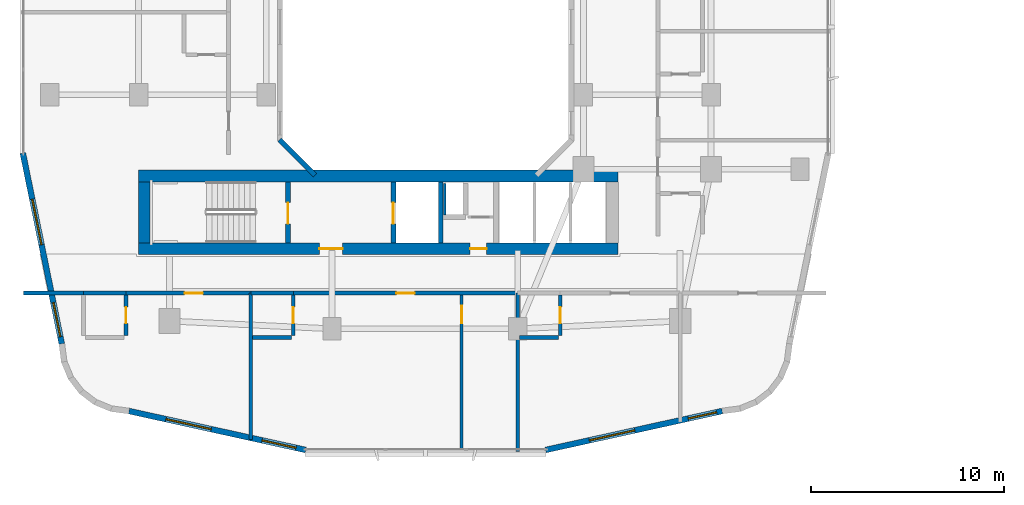
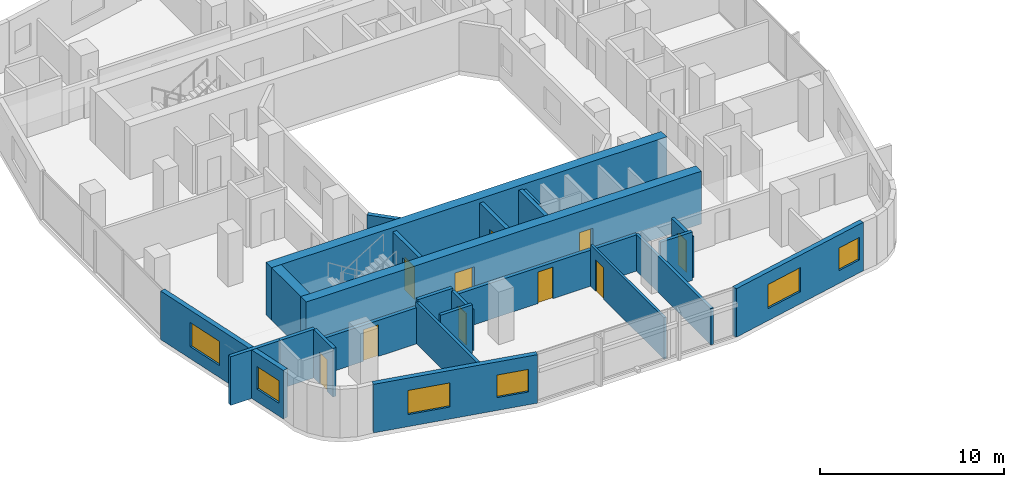
# One storey, part 13 of 27: 24 walls, 10 doors, 6 windows, 16 openings.
"""IFC4 building model written with IfcOpenShell, lengths in metres."""

from ifc_helpers import new_model, si_unit, derived_unit, direction, frame, frame_2d, origin, place, context, subcontext, project, spatial, rectangle, extrude, material, layer, layer_set, type_object, element, fill, save


model = new_model("IFC4")

# Units and contexts
model_context = context("Model", 3, precision=1e-05, world=origin(), true_north=direction((0.0, 1.0)))
body_context = subcontext(model_context, "Body", "Model", "MODEL_VIEW")
ifc_project = project(units=[si_unit("LENGTHUNIT", "METRE"), si_unit("AREAUNIT", "SQUARE_METRE"), si_unit("VOLUMEUNIT", "CUBIC_METRE"), si_unit("PLANEANGLEUNIT", "RADIAN"), si_unit("MASSUNIT", "GRAM", prefix="KILO"), derived_unit("THERMALTRANSMITTANCEUNIT", [(si_unit("POWERUNIT", "WATT"), 1), (si_unit("LENGTHUNIT", "METRE"), -2), (si_unit("THERMODYNAMICTEMPERATUREUNIT", "KELVIN"), -1)])], contexts=[model_context])

# Site, building, storey
site_placement = place(None, origin())
site = spatial("IfcSite", under=ifc_project, at=site_placement, CompositionType="ELEMENT")
building_placement = place(site_placement, origin())
building = spatial("IfcBuilding", under=site, at=building_placement, Name="Kivonza Crest Hotel", CompositionType="ELEMENT")
storey_placement = place(building_placement, frame((0.0, 0.0, 41.5)))
storey = spatial("IfcBuildingStorey", under=building, at=storey_placement, Name="L10", CompositionType="ELEMENT", Elevation=41.5)

# Walls
ifc_material_1 = material(Name="High-density acoustic masonry inter-tenancy wall", Category="masonry")
ifc_layer_1 = layer(ifc_material_1, 0.179931640625)
ifc_layer_set_1 = layer_set([ifc_layer_1], Name="High-density acoustic masonry inter-tenancy wall")
wall_type_1 = type_object("IfcWallType", Name="WL-ACOU-180", PredefinedType="SOLIDWALL", material=ifc_layer_set_1)
wall_1_placement = place(storey_placement, frame((12.0, 3.66796875, 0.0), z_axis=(0.0, 0.0, 1.0), x_axis=(0.0, 1.0, 0.0)))
element("IfcWall", 1, at=wall_1_placement, inside=storey, type_object=wall_type_1, Name="L10 interior partition WA-L10-T1S-DIV1", PredefinedType="SOLIDWALL", context=body_context, shape_type="SweptSolid", body=[
    extrude(rectangle(XDim=7.58203125, YDim=0.179931640625, at=frame_2d((3.791015625, 0.0))), origin(), (0.0, 0.0, 1.0), 2.7451171875),
])
wall_2_placement = place(storey_placement, frame((25.800048828125, 3.06005859375, 0.0), z_axis=(0.0, 0.0, 1.0), x_axis=(0.0, 1.0, 0.0)))
element("IfcWall", 2, at=wall_2_placement, inside=storey, type_object=wall_type_1, Name="L10 interior partition WA-L10-T1S-DIV2", PredefinedType="SOLIDWALL", context=body_context, shape_type="SweptSolid", body=[
    extrude(rectangle(XDim=8.18994140625, YDim=0.179931640625, at=frame_2d((4.094970703125, 0.0))), origin(), (0.0, 0.0, 1.0), 2.39501953125),
])
ifc_material_2 = material(Name="Autoclaved aerated concrete blockwork", Category="masonry")
ifc_layer_2 = layer(ifc_material_2, 0.219970703125)
ifc_layer_set_2 = layer_set([ifc_layer_2], Name="Autoclaved aerated concrete blockwork")
wall_type_2 = type_object("IfcWallType", Name="WL-ACOU-220", PredefinedType="SOLIDWALL", material=ifc_layer_set_2)
wall_3_placement = place(storey_placement, frame((0.239990234375, 11.25, 0.0), z_axis=(0.0, 0.0, 1.0), x_axis=(1.0, 0.0, 0.0)))
element("IfcWall", 3, at=wall_3_placement, inside=storey, type_object=wall_type_2, Name="L10 interior partition WA-L10-S04-XCORR", PredefinedType="SOLIDWALL", context=body_context, shape_type="SweptSolid", body=[
    extrude(rectangle(XDim=3.110107421875, YDim=0.219970703125, at=frame_2d((1.55517578125, 0.0))), origin(), (0.0, 0.0, 1.0), 3.219970703125),
])
wall_4_placement = place(storey_placement, frame((3.35009765625, 11.25, 0.0), z_axis=(0.0, 0.0, 1.0), x_axis=(1.0, 0.0, 0.0)))
element("IfcWall", 4, at=wall_4_placement, inside=storey, type_object=wall_type_2, Name="L10 interior partition WA-L10-S04-BCORR", PredefinedType="SOLIDWALL", context=body_context, shape_type="SweptSolid", body=[
    extrude(rectangle(XDim=2.199951171875, YDim=0.219970703125, at=frame_2d((1.10009765625, 0.0))), origin(), (0.0, 0.0, 1.0), 3.219970703125),
])

# Wall, opening, door
wall_5_placement = place(storey_placement, frame((5.550048828125, 11.25, 0.0), z_axis=(0.0, 0.0, 1.0), x_axis=(1.0, 0.0, 0.0)))
wall_5 = element("IfcWall", 5, at=wall_5_placement, inside=storey, type_object=wall_type_2, Name="L10 interior partition WA-L10-S04-MCORR", PredefinedType="SOLIDWALL", context=body_context, shape_type="SweptSolid", body=[
    extrude(rectangle(XDim=6.449951171875, YDim=0.219970703125, at=frame_2d((3.22509765625, 0.0))), origin(), (0.0, 0.0, 1.0), 2.39501953125),
])
opening_1_placement = place(wall_5_placement, frame((3.030029296875, 0.0, 0.0)))
opening_1 = element("IfcOpeningElement", 6, at=opening_1_placement, cuts=wall_5, Name="Opening DU-60", PredefinedType="OPENING", context=body_context, shape_type="SweptSolid", body=[
    extrude(rectangle(XDim=0.949951171875, YDim=2.10009765625, at=frame_2d((0.47509765625, 1.050048828125))), frame((0.0, 0.1201171875, 0.0), z_axis=(0.0, -1.0, 0.0), x_axis=(1.0, 0.0, 0.0)), (0.0, 0.0, 1.0), 0.239990234375),
])
ifc_material_3 = material(Name="Hardwood timber oak", Category="wood")
door_type_1 = type_object("IfcDoorType", Name="DR-UNIT-950", OperationType="NOTDEFINED", PredefinedType="DOOR", material=ifc_material_3)
door_1_placement = place(opening_1_placement, frame((0.949951171875, 0.0, 0.0), z_axis=(0.0, 0.0, 1.0), x_axis=(-1.0, 0.0, 0.0)))
door_1 = element("IfcDoor", 7, at=door_1_placement, inside=storey, type_object=door_type_1, Name="L10 S04 guest unit entrance fire door", OperationType="SINGLE_SWING_RIGHT", OverallHeight=2.10009765625, OverallWidth=0.949951171875, PredefinedType="DOOR", context=body_context, shape_type="SweptSolid", body=[
    extrude(rectangle(XDim=0.949951171875, YDim=2.10009765625, at=frame_2d((0.47509765625, 1.050048828125))), frame((0.0, 0.02490234375, 0.0), z_axis=(0.0, -1.0, 0.0), x_axis=(1.0, 0.0, 0.0)), (0.0, 0.0, 1.0), 0.050048828125),
])
fill(opening_1, door_1)

# Wall
wall_6_placement = place(storey_placement, frame((12.0, 11.25, 0.0), z_axis=(0.0, 0.0, 1.0), x_axis=(1.0, 0.0, 0.0)))
element("IfcWall", 8, at=wall_6_placement, inside=storey, type_object=wall_type_2, Name="L10 interior partition WA-L10-S05-BCORR", PredefinedType="SOLIDWALL", context=body_context, shape_type="SweptSolid", body=[
    extrude(rectangle(XDim=2.199951171875, YDim=0.219970703125, at=frame_2d((1.10009765625, 0.0))), origin(), (0.0, 0.0, 1.0), 2.89501953125),
])

# Wall, opening, door
wall_7_placement = place(storey_placement, frame((14.199951171875, 11.25, 0.0), z_axis=(0.0, 0.0, 1.0), x_axis=(1.0, 0.0, 0.0)))
wall_7 = element("IfcWall", 9, at=wall_7_placement, inside=storey, type_object=wall_type_2, Name="L10 interior partition WA-L10-S05-MCORR", PredefinedType="SOLIDWALL", context=body_context, shape_type="SweptSolid", body=[
    extrude(rectangle(XDim=11.60009765625, YDim=0.219970703125, at=frame_2d((5.800048828125, 0.0))), origin(), (0.0, 0.0, 1.0), 2.39501953125),
])
opening_2_placement = place(wall_7_placement, frame((5.324951171875, 0.0, 0.0)))
opening_2 = element("IfcOpeningElement", 10, at=opening_2_placement, cuts=wall_7, Name="Opening DU-60", PredefinedType="OPENING", context=body_context, shape_type="SweptSolid", body=[
    extrude(rectangle(XDim=0.949951171875, YDim=2.10009765625, at=frame_2d((0.47509765625, 1.050048828125))), frame((0.0, 0.1201171875, 0.0), z_axis=(0.0, -1.0, 0.0), x_axis=(1.0, 0.0, 0.0)), (0.0, 0.0, 1.0), 0.239990234375),
])
door_2_placement = place(opening_2_placement, frame((0.949951171875, 0.0, 0.0), z_axis=(0.0, 0.0, 1.0), x_axis=(-1.0, 0.0, 0.0)))
door_2 = element("IfcDoor", 11, at=door_2_placement, inside=storey, type_object=door_type_1, Name="L10 S05 guest unit entrance fire door", OperationType="SINGLE_SWING_LEFT", OverallHeight=2.10009765625, OverallWidth=0.949951171875, PredefinedType="DOOR", context=body_context, shape_type="SweptSolid", body=[
    extrude(rectangle(XDim=0.949951171875, YDim=2.10009765625, at=frame_2d((0.47509765625, 1.050048828125))), frame((0.0, 0.02490234375, 0.0), z_axis=(0.0, -1.0, 0.0), x_axis=(1.0, 0.0, 0.0)), (0.0, 0.0, 1.0), 0.050048828125),
])
fill(opening_2, door_2)

# Wall, openings, doors
ifc_material_4 = material(Name="Concrete C60/75", Category="concrete")
ifc_layer_3 = layer(ifc_material_4, 0.60009765625)
ifc_layer_set_3 = layer_set([ifc_layer_3], Name="Concrete C60/75")
wall_type_3 = type_object("IfcWallType", Name="WL-CORE-600", PredefinedType="SHEAR", material=ifc_layer_set_3)
wall_8_placement = place(storey_placement, frame((6.199951171875, 13.5400390625, 0.0), z_axis=(0.0, 0.0, 1.0), x_axis=(1.0, 0.0, 0.0)))
wall_8 = element("IfcWall", 12, at=wall_8_placement, inside=storey, type_object=wall_type_3, Name="Core wall T1-S South L10", PredefinedType="SHEAR", context=body_context, shape_type="SweptSolid", body=[
    extrude(rectangle(XDim=24.800048828125, YDim=0.60009765625, at=frame_2d((12.39990234375, 0.0))), origin(), (0.0, 0.0, 1.0), 3.5),
])
opening_3_placement = place(wall_8_placement, frame((9.35009765625, 0.0, 0.0)))
opening_3 = element("IfcOpeningElement", 13, at=opening_3_placement, cuts=wall_8, Name="Opening DF-60", PredefinedType="OPENING", context=body_context, shape_type="SweptSolid", body=[
    extrude(rectangle(XDim=1.199951171875, YDim=2.14990234375, at=frame_2d((0.60009765625, 1.074951171875))), frame((0.0, 0.31005859375, 0.0), z_axis=(0.0, -1.0, 0.0), x_axis=(1.0, 0.0, 0.0)), (0.0, 0.0, 1.0), 0.6201171875),
])
opening_4_placement = place(wall_8_placement, frame((17.139892578125, 0.0, 0.0)))
opening_4 = element("IfcOpeningElement", 14, at=opening_4_placement, cuts=wall_8, Name="Opening DF-60R", PredefinedType="OPENING", context=body_context, shape_type="SweptSolid", body=[
    extrude(rectangle(XDim=0.85009765625, YDim=2.10009765625, at=frame_2d((0.425048828125, 1.050048828125))), frame((0.0, 0.31005859375, 0.0), z_axis=(0.0, -1.0, 0.0), x_axis=(1.0, 0.0, 0.0)), (0.0, 0.0, 1.0), 0.6201171875),
])
door_type_2 = type_object("IfcDoorType", Name="DR-FD60-1200", OperationType="NOTDEFINED", PredefinedType="DOOR", material=ifc_material_3)
door_3_placement = place(opening_3_placement, frame((1.199951171875, 0.0, 0.0), z_axis=(0.0, 0.0, 1.0), x_axis=(-1.0, 0.0, 0.0)))
door_3 = element("IfcDoor", 15, at=door_3_placement, inside=storey, type_object=door_type_2, Name="L10 T1-S firefighting lobby fire door", OperationType="SINGLE_SWING_LEFT", OverallHeight=2.14990234375, OverallWidth=1.199951171875, PredefinedType="DOOR", context=body_context, shape_type="SweptSolid", body=[
    extrude(rectangle(XDim=1.199951171875, YDim=2.14990234375, at=frame_2d((0.60009765625, 1.074951171875))), frame((0.0, 0.02490234375, 0.0), z_axis=(0.0, -1.0, 0.0), x_axis=(1.0, 0.0, 0.0)), (0.0, 0.0, 1.0), 0.050048828125),
])
fill(opening_3, door_3)
door_type_3 = type_object("IfcDoorType", Name="DR-FD60-850", OperationType="NOTDEFINED", PredefinedType="DOOR", material=ifc_material_3)
door_4_placement = place(opening_4_placement, frame((0.85009765625, 0.0, 0.0), z_axis=(0.0, 0.0, 1.0), x_axis=(-1.0, 0.0, 0.0)))
door_4 = element("IfcDoor", 16, at=door_4_placement, inside=storey, type_object=door_type_3, Name="L10 T1-S core room door", OperationType="SINGLE_SWING_RIGHT", OverallHeight=2.10009765625, OverallWidth=0.85009765625, PredefinedType="DOOR", context=body_context, shape_type="SweptSolid", body=[
    extrude(rectangle(XDim=0.85009765625, YDim=2.10009765625, at=frame_2d((0.425048828125, 1.050048828125))), frame((0.0, 0.02490234375, 0.0), z_axis=(0.0, -1.0, 0.0), x_axis=(1.0, 0.0, 0.0)), (0.0, 0.0, 1.0), 0.050048828125),
])
fill(opening_4, door_4)

# Walls
wall_9_placement = place(storey_placement, frame((6.199951171875, 17.300048828125, 0.0), z_axis=(0.0, 0.0, 1.0), x_axis=(1.0, 0.0, 0.0)))
element("IfcWall", 17, at=wall_9_placement, inside=storey, type_object=wall_type_3, Name="Core wall T1-S North L10", PredefinedType="SHEAR", context=body_context, shape_type="SweptSolid", body=[
    extrude(rectangle(XDim=24.800048828125, YDim=0.60009765625, at=frame_2d((12.39990234375, 0.0))), origin(), (0.0, 0.0, 1.0), 3.5),
])
wall_10_placement = place(storey_placement, frame((6.5, 13.840087890625, 0.0), z_axis=(0.0, 0.0, 1.0), x_axis=(0.0, 1.0, 0.0)))
element("IfcWall", 18, at=wall_10_placement, inside=storey, type_object=wall_type_3, Name="Core wall T1-S West L10", PredefinedType="SHEAR", context=body_context, shape_type="SweptSolid", body=[
    extrude(rectangle(XDim=3.159912109375, YDim=0.60009765625, at=frame_2d((1.580078125, 0.0))), origin(), (0.0, 0.0, 1.0), 3.5),
])
ifc_material_5 = material(Name="Precast concrete C40/50", Category="concrete")
ifc_layer_4 = layer(ifc_material_5, 0.260009765625)
ifc_layer_set_4 = layer_set([ifc_layer_4], Name="Precast concrete C40/50")
wall_type_4 = type_object("IfcWallType", Name="WL-EXT-260", PredefinedType="STANDARD", material=ifc_layer_set_4)
wall_11_placement = place(storey_placement, frame((13.48388671875, 19.172119140625, 0.0), z_axis=(0.0, 0.0, 1.0), x_axis=(0.707106781187, -0.707106781187, 0.0)))
element("IfcWall", 19, at=wall_11_placement, inside=storey, type_object=wall_type_4, Name="L10 T1 light-well exterior wall 8", PredefinedType="STANDARD", context=body_context, shape_type="SweptSolid", body=[
    extrude(rectangle(XDim=2.593994140625, YDim=0.260009765625, at=frame_2d((1.296875, 0.0))), origin(), (0.0, 0.0, 1.0), 3.219970703125),
])

# Wall, openings, windows
ifc_layer_5 = layer(ifc_material_5, 0.300048828125)
ifc_layer_set_5 = layer_set([ifc_layer_5], Name="Precast concrete C40/50")
wall_type_5 = type_object("IfcWallType", Name="WL-EXT-300", PredefinedType="STANDARD", material=ifc_layer_set_5)
wall_12_placement = place(storey_placement, frame((5.7041015625, 5.14794921875, 0.0), z_axis=(0.0, 0.0, 1.0), x_axis=(0.9765437942, -0.215318875183, 0.0)))
wall_12 = element("IfcWall", 20, at=wall_12_placement, inside=storey, type_object=wall_type_5, Name="L10 T1 exterior insulated wall 7", PredefinedType="STANDARD", context=body_context, shape_type="SweptSolid", body=[
    extrude(rectangle(XDim=9.353271484375, YDim=0.300048828125, at=frame_2d((4.6767578125, 0.0))), origin(), (0.0, 0.0, 1.0), 3.219970703125),
])
opening_5_placement = place(wall_12_placement, frame((1.9580078125, 0.0, 0.800048828125)))
opening_5 = element("IfcOpeningElement", 21, at=opening_5_placement, cuts=wall_12, Name="Opening WN-05", PredefinedType="OPENING", context=body_context, shape_type="SweptSolid", body=[
    extrude(rectangle(XDim=2.39990234375, YDim=1.60009765625, at=frame_2d((1.199951171875, 0.800048828125))), frame((0.0, 0.16015625, 0.0), z_axis=(0.0, -1.0, 0.0), x_axis=(1.0, 0.0, 0.0)), (0.0, 0.0, 1.0), 0.320068359375),
])
opening_6_placement = place(wall_12_placement, frame((7.0400390625, 0.0, 0.85009765625)))
opening_6 = element("IfcOpeningElement", 22, at=opening_6_placement, cuts=wall_12, Name="Opening WN-03", PredefinedType="OPENING", context=body_context, shape_type="SweptSolid", body=[
    extrude(rectangle(XDim=1.800048828125, YDim=1.5, at=frame_2d((0.89990234375, 0.75))), frame((0.0, 0.16015625, 0.0), z_axis=(0.0, -1.0, 0.0), x_axis=(1.0, 0.0, 0.0)), (0.0, 0.0, 1.0), 0.320068359375),
])
ifc_material_6 = material(Name="Thermally broken bronze aluminium and low-E double glazing", Category="aluminium")
window_type_1 = type_object("IfcWindowType", Name="WN-180x150", PartitioningType="DOUBLE_PANEL_VERTICAL", PredefinedType="WINDOW", material=ifc_material_6)
window_1_placement = place(opening_6_placement, origin())
window_1 = element("IfcWindow", 23, at=window_1_placement, inside=storey, type_object=window_type_1, Name="L10 T1 facade window 7 bay 2", OverallHeight=1.5, OverallWidth=1.800048828125, PartitioningType="SINGLE_PANEL", PredefinedType="WINDOW", context=body_context, shape_type="SweptSolid", body=[
    extrude(rectangle(XDim=1.800048828125, YDim=1.5, at=frame_2d((0.89990234375, 0.75))), frame((0.0, 0.030029296875, 0.0), z_axis=(0.0, -1.0, 0.0), x_axis=(1.0, 0.0, 0.0)), (0.0, 0.0, 1.0), 0.06005859375),
])
fill(opening_6, window_1)
window_type_2 = type_object("IfcWindowType", Name="WN-240x160", PartitioningType="TRIPLE_PANEL_VERTICAL", PredefinedType="WINDOW", material=ifc_material_6)
window_2_placement = place(opening_5_placement, origin())
window_2 = element("IfcWindow", 24, at=window_2_placement, inside=storey, type_object=window_type_2, Name="L10 T1 facade window 7 bay 1", OverallHeight=1.60009765625, OverallWidth=2.39990234375, PartitioningType="SINGLE_PANEL", PredefinedType="WINDOW", context=body_context, shape_type="SweptSolid", body=[
    extrude(rectangle(XDim=2.39990234375, YDim=1.60009765625, at=frame_2d((1.199951171875, 0.800048828125))), frame((0.0, 0.030029296875, 0.0), z_axis=(0.0, -1.0, 0.0), x_axis=(1.0, 0.0, 0.0)), (0.0, 0.0, 1.0), 0.06005859375),
])
fill(opening_5, window_2)

wall_13_placement = place(storey_placement, frame((27.241943359375, 3.134033203125, 0.0), z_axis=(0.0, 0.0, 1.0), x_axis=(0.97654500432, 0.215313386808, 0.0)))
wall_13 = element("IfcWall", 25, at=wall_13_placement, inside=storey, type_object=wall_type_5, Name="L10 T1 exterior insulated wall 9", PredefinedType="STANDARD", context=body_context, shape_type="SweptSolid", body=[
    extrude(rectangle(XDim=9.353515625, YDim=0.300048828125, at=frame_2d((4.6767578125, 0.0))), origin(), (0.0, 0.0, 1.0), 3.219970703125),
])
opening_7_placement = place(wall_13_placement, frame((2.322998046875, 0.0, 0.800048828125)))
opening_7 = element("IfcOpeningElement", 26, at=opening_7_placement, cuts=wall_13, Name="Opening WN-05", PredefinedType="OPENING", context=body_context, shape_type="SweptSolid", body=[
    extrude(rectangle(XDim=2.39990234375, YDim=1.60009765625, at=frame_2d((1.199951171875, 0.800048828125))), frame((0.0, 0.16015625, 0.0), z_axis=(0.0, -1.0, 0.0), x_axis=(1.0, 0.0, 0.0)), (0.0, 0.0, 1.0), 0.320068359375),
])
opening_8_placement = place(wall_13_placement, frame((7.554931640625, 0.0, 0.85009765625)))
opening_8 = element("IfcOpeningElement", 27, at=opening_8_placement, cuts=wall_13, Name="Opening WN-02", PredefinedType="OPENING", context=body_context, shape_type="SweptSolid", body=[
    extrude(rectangle(XDim=1.5, YDim=1.5, at=frame_2d((0.75, 0.75))), frame((0.0, 0.16015625, 0.0), z_axis=(0.0, -1.0, 0.0), x_axis=(1.0, 0.0, 0.0)), (0.0, 0.0, 1.0), 0.320068359375),
])
window_type_3 = type_object("IfcWindowType", Name="WN-150x150", PartitioningType="DOUBLE_PANEL_VERTICAL", PredefinedType="WINDOW", material=ifc_material_6)
window_3_placement = place(opening_8_placement, origin())
window_3 = element("IfcWindow", 28, at=window_3_placement, inside=storey, type_object=window_type_3, Name="L10 T1 facade window 9 bay 2", OverallHeight=1.5, OverallWidth=1.5, PartitioningType="SINGLE_PANEL", PredefinedType="WINDOW", context=body_context, shape_type="SweptSolid", body=[
    extrude(rectangle(XDim=1.5, YDim=1.5, at=frame_2d((0.75, 0.75))), frame((0.0, 0.030029296875, 0.0), z_axis=(0.0, -1.0, 0.0), x_axis=(1.0, 0.0, 0.0)), (0.0, 0.0, 1.0), 0.06005859375),
])
fill(opening_8, window_3)
window_4_placement = place(opening_7_placement, origin())
window_4 = element("IfcWindow", 29, at=window_4_placement, inside=storey, type_object=window_type_2, Name="L10 T1 facade window 9 bay 1", OverallHeight=1.60009765625, OverallWidth=2.39990234375, PartitioningType="SINGLE_PANEL", PredefinedType="WINDOW", context=body_context, shape_type="SweptSolid", body=[
    extrude(rectangle(XDim=2.39990234375, YDim=1.60009765625, at=frame_2d((1.199951171875, 0.800048828125))), frame((0.0, 0.030029296875, 0.0), z_axis=(0.0, -1.0, 0.0), x_axis=(1.0, 0.0, 0.0)), (0.0, 0.0, 1.0), 0.06005859375),
])
fill(opening_7, window_4)

wall_14_placement = place(storey_placement, frame((0.216064453125, 18.48388671875, 0.0), z_axis=(0.0, 0.0, 1.0), x_axis=(0.199990901713, -0.979797754249, 0.0)))
wall_14 = element("IfcWall", 30, at=wall_14_placement, inside=storey, type_object=wall_type_5, Name="L10 T1 exterior insulated wall 36", PredefinedType="STANDARD", context=body_context, shape_type="SweptSolid", body=[
    extrude(rectangle(XDim=10.065185546875, YDim=0.300048828125, at=frame_2d((5.03271484375, 0.0))), origin(), (0.0, 0.0, 1.0), 3.219970703125),
])
opening_9_placement = place(wall_14_placement, frame((2.428955078125, 0.0, 0.800048828125)))
opening_9 = element("IfcOpeningElement", 31, at=opening_9_placement, cuts=wall_14, Name="Opening WN-05", PredefinedType="OPENING", context=body_context, shape_type="SweptSolid", body=[
    extrude(rectangle(XDim=2.39990234375, YDim=1.60009765625, at=frame_2d((1.199951171875, 0.800048828125))), frame((0.0, 0.16015625, 0.0), z_axis=(0.0, -1.0, 0.0), x_axis=(1.0, 0.0, 0.0)), (0.0, 0.0, 1.0), 0.320068359375),
])
opening_10_placement = place(wall_14_placement, frame((7.886962890625, 0.0, 0.85009765625)))
opening_10 = element("IfcOpeningElement", 32, at=opening_10_placement, cuts=wall_14, Name="Opening WN-03", PredefinedType="OPENING", context=body_context, shape_type="SweptSolid", body=[
    extrude(rectangle(XDim=1.800048828125, YDim=1.5, at=frame_2d((0.89990234375, 0.75))), frame((0.0, 0.16015625, 0.0), z_axis=(0.0, -1.0, 0.0), x_axis=(1.0, 0.0, 0.0)), (0.0, 0.0, 1.0), 0.320068359375),
])
window_5_placement = place(opening_10_placement, origin())
window_5 = element("IfcWindow", 33, at=window_5_placement, inside=storey, type_object=window_type_1, Name="L10 T1 facade window 36 bay 2", OverallHeight=1.5, OverallWidth=1.800048828125, PartitioningType="SINGLE_PANEL", PredefinedType="WINDOW", context=body_context, shape_type="SweptSolid", body=[
    extrude(rectangle(XDim=1.800048828125, YDim=1.5, at=frame_2d((0.89990234375, 0.75))), frame((0.0, 0.030029296875, 0.0), z_axis=(0.0, -1.0, 0.0), x_axis=(1.0, 0.0, 0.0)), (0.0, 0.0, 1.0), 0.06005859375),
])
fill(opening_10, window_5)
window_6_placement = place(opening_9_placement, origin())
window_6 = element("IfcWindow", 34, at=window_6_placement, inside=storey, type_object=window_type_2, Name="L10 T1 facade window 36 bay 1", OverallHeight=1.60009765625, OverallWidth=2.39990234375, PartitioningType="SINGLE_PANEL", PredefinedType="WINDOW", context=body_context, shape_type="SweptSolid", body=[
    extrude(rectangle(XDim=2.39990234375, YDim=1.60009765625, at=frame_2d((1.199951171875, 0.800048828125))), frame((0.0, 0.030029296875, 0.0), z_axis=(0.0, -1.0, 0.0), x_axis=(1.0, 0.0, 0.0)), (0.0, 0.0, 1.0), 0.06005859375),
])
fill(opening_9, window_6)

# Wall
ifc_material_7 = material(Name="Twin-stud acoustic gypsum board partition", Category="gypsum")
ifc_layer_6 = layer(ifc_material_7, 0.14990234375)
ifc_layer_set_6 = layer_set([ifc_layer_6], Name="Twin-stud acoustic gypsum board partition")
wall_type_6 = type_object("IfcWallType", Name="WL-PART-150", PredefinedType="PARTITIONING", material=ifc_layer_set_6)
wall_15_placement = place(storey_placement, frame((22.030029296875, 15.280029296875, 0.0), z_axis=(0.0, 0.0, 1.0), x_axis=(0.0, 1.0, 0.0)))
element("IfcWall", 35, at=wall_15_placement, inside=storey, type_object=wall_type_6, Name="L10 interior partition WA-L10-T1-S-MEPR-W", PredefinedType="PARTITIONING", context=body_context, shape_type="SweptSolid", body=[
    extrude(rectangle(XDim=1.619873046875, YDim=0.14990234375, at=frame_2d((0.81005859375, 0.0))), origin(), (0.0, 0.0, 1.0), 3.219970703125),
])

# Wall, opening, door
wall_16_placement = place(storey_placement, frame((22.89990234375, 3.159912109375, 0.0), z_axis=(0.0, 0.0, 1.0), x_axis=(0.0, 1.0, 0.0)))
wall_16 = element("IfcWall", 36, at=wall_16_placement, inside=storey, type_object=wall_type_6, Name="L10 interior partition WP-L10-S05-SPSP", PredefinedType="PARTITIONING", context=body_context, shape_type="SweptSolid", body=[
    extrude(rectangle(XDim=7.989990234375, YDim=0.14990234375, at=frame_2d((3.9951171875, 0.0))), origin(), (0.0, 0.0, 1.0), 2.7451171875),
])
opening_11_placement = place(wall_16_placement, frame((6.5400390625, 0.0, 0.0)))
opening_11 = element("IfcOpeningElement", 37, at=opening_11_placement, cuts=wall_16, Name="Opening DI-90", PredefinedType="OPENING", context=body_context, shape_type="SweptSolid", body=[
    extrude(rectangle(XDim=0.89990234375, YDim=2.10009765625, at=frame_2d((0.449951171875, 1.050048828125))), frame((0.0, 0.0849609375, 0.0), z_axis=(0.0, -1.0, 0.0), x_axis=(1.0, 0.0, 0.0)), (0.0, 0.0, 1.0), 0.169921875),
])
door_type_4 = type_object("IfcDoorType", Name="DR-INT-900", OperationType="NOTDEFINED", PredefinedType="DOOR", material=ifc_material_3)
door_5_placement = place(opening_11_placement, origin())
door_5 = element("IfcDoor", 38, at=door_5_placement, inside=storey, type_object=door_type_4, Name="L10 S05 suite bedroom door", OperationType="SINGLE_SWING_RIGHT", OverallHeight=2.10009765625, OverallWidth=0.89990234375, PredefinedType="DOOR", context=body_context, shape_type="SweptSolid", body=[
    extrude(rectangle(XDim=0.89990234375, YDim=2.10009765625, at=frame_2d((0.449951171875, 1.050048828125))), frame((0.0, 0.02490234375, 0.0), z_axis=(0.0, -1.0, 0.0), x_axis=(1.0, 0.0, 0.0)), (0.0, 0.0, 1.0), 0.050048828125),
])
fill(opening_11, door_5)

ifc_material_8 = material(Name="Moisture-resistant plumbing chase partition wall", Category="gypsum")
ifc_layer_7 = layer(ifc_material_8, 0.199951171875)
ifc_layer_set_7 = layer_set([ifc_layer_7], Name="Moisture-resistant plumbing chase partition wall")
wall_type_7 = type_object("IfcWallType", Name="WL-PLUMB-200", PredefinedType="PLUMBINGWALL", material=ifc_layer_set_7)
wall_17_placement = place(storey_placement, frame((5.550048828125, 9.050048828125, 0.0), z_axis=(0.0, 0.0, 1.0), x_axis=(0.0, 1.0, 0.0)))
wall_17 = element("IfcWall", 39, at=wall_17_placement, inside=storey, type_object=wall_type_7, Name="L10 interior partition WW-L10-S04-BV", PredefinedType="PLUMBINGWALL", context=body_context, shape_type="SweptSolid", body=[
    extrude(rectangle(XDim=2.099853515625, YDim=0.199951171875, at=frame_2d((1.0498046875, 0.0))), origin(), (0.0, 0.0, 1.0), 3.219970703125),
])
opening_12_placement = place(wall_17_placement, frame((0.625, 0.0, 0.0)))
opening_12 = element("IfcOpeningElement", 40, at=opening_12_placement, cuts=wall_17, Name="Opening DI-85", PredefinedType="OPENING", context=body_context, shape_type="SweptSolid", body=[
    extrude(rectangle(XDim=0.85009765625, YDim=2.10009765625, at=frame_2d((0.425048828125, 1.050048828125))), frame((0.0, 0.10986328125, 0.0), z_axis=(0.0, -1.0, 0.0), x_axis=(1.0, 0.0, 0.0)), (0.0, 0.0, 1.0), 0.219970703125),
])
door_type_5 = type_object("IfcDoorType", Name="DR-INT-850", OperationType="NOTDEFINED", PredefinedType="DOOR", material=ifc_material_3)
door_6_placement = place(opening_12_placement, frame((0.85009765625, 0.0, 0.0), z_axis=(0.0, 0.0, 1.0), x_axis=(-1.0, 0.0, 0.0)))
door_6 = element("IfcDoor", 41, at=door_6_placement, inside=storey, type_object=door_type_5, Name="L10 S04 en-suite bathroom door", OperationType="SINGLE_SWING_LEFT", OverallHeight=2.10009765625, OverallWidth=0.85009765625, PredefinedType="DOOR", context=body_context, shape_type="SweptSolid", body=[
    extrude(rectangle(XDim=0.85009765625, YDim=2.10009765625, at=frame_2d((0.425048828125, 1.050048828125))), frame((0.0, 0.02490234375, 0.0), z_axis=(0.0, -1.0, 0.0), x_axis=(1.0, 0.0, 0.0)), (0.0, 0.0, 1.0), 0.050048828125),
])
fill(opening_12, door_6)

wall_18_placement = place(storey_placement, frame((14.199951171875, 9.050048828125, 0.0), z_axis=(0.0, 0.0, 1.0), x_axis=(0.0, 1.0, 0.0)))
wall_18 = element("IfcWall", 42, at=wall_18_placement, inside=storey, type_object=wall_type_7, Name="L10 interior partition WW-L10-S05-BV", PredefinedType="PLUMBINGWALL", context=body_context, shape_type="SweptSolid", body=[
    extrude(rectangle(XDim=2.099853515625, YDim=0.199951171875, at=frame_2d((1.0498046875, 0.0))), origin(), (0.0, 0.0, 1.0), 2.7451171875),
])
opening_13_placement = place(wall_18_placement, frame((0.625, 0.0, 0.0)))
opening_13 = element("IfcOpeningElement", 43, at=opening_13_placement, cuts=wall_18, Name="Opening DI-85", PredefinedType="OPENING", context=body_context, shape_type="SweptSolid", body=[
    extrude(rectangle(XDim=0.85009765625, YDim=2.10009765625, at=frame_2d((0.425048828125, 1.050048828125))), frame((0.0, 0.10986328125, 0.0), z_axis=(0.0, -1.0, 0.0), x_axis=(1.0, 0.0, 0.0)), (0.0, 0.0, 1.0), 0.219970703125),
])
door_7_placement = place(opening_13_placement, frame((0.85009765625, 0.0, 0.0), z_axis=(0.0, 0.0, 1.0), x_axis=(-1.0, 0.0, 0.0)))
door_7 = element("IfcDoor", 44, at=door_7_placement, inside=storey, type_object=door_type_5, Name="L10 S05 en-suite bathroom door", OperationType="SINGLE_SWING_RIGHT", OverallHeight=2.10009765625, OverallWidth=0.85009765625, PredefinedType="DOOR", context=body_context, shape_type="SweptSolid", body=[
    extrude(rectangle(XDim=0.85009765625, YDim=2.10009765625, at=frame_2d((0.425048828125, 1.050048828125))), frame((0.0, 0.02490234375, 0.0), z_axis=(0.0, -1.0, 0.0), x_axis=(1.0, 0.0, 0.0)), (0.0, 0.0, 1.0), 0.050048828125),
])
fill(opening_13, door_7)

# Wall
wall_19_placement = place(storey_placement, frame((12.10009765625, 8.949951171875, 0.0), z_axis=(0.0, 0.0, 1.0), x_axis=(1.0, 0.0, 0.0)))
element("IfcWall", 45, at=wall_19_placement, inside=storey, type_object=wall_type_7, Name="L10 interior partition WW-L10-S05-BH", PredefinedType="PLUMBINGWALL", context=body_context, shape_type="SweptSolid", body=[
    extrude(rectangle(XDim=2.0, YDim=0.199951171875, at=frame_2d((1.0, 0.0))), origin(), (0.0, 0.0, 1.0), 3.219970703125),
])

# Wall, opening, door
wall_20_placement = place(storey_placement, frame((28.0, 9.050048828125, 0.0), z_axis=(0.0, 0.0, 1.0), x_axis=(0.0, 1.0, 0.0)))
wall_20 = element("IfcWall", 46, at=wall_20_placement, inside=storey, type_object=wall_type_7, Name="L10 interior partition WW-L10-S06-BV", PredefinedType="PLUMBINGWALL", context=body_context, shape_type="SweptSolid", body=[
    extrude(rectangle(XDim=2.099853515625, YDim=0.199951171875, at=frame_2d((1.0498046875, 0.0))), origin(), (0.0, 0.0, 1.0), 2.7451171875),
])
opening_14_placement = place(wall_20_placement, frame((0.625, 0.0, 0.0)))
opening_14 = element("IfcOpeningElement", 47, at=opening_14_placement, cuts=wall_20, Name="Opening DI-85", PredefinedType="OPENING", context=body_context, shape_type="SweptSolid", body=[
    extrude(rectangle(XDim=0.85009765625, YDim=2.10009765625, at=frame_2d((0.425048828125, 1.050048828125))), frame((0.0, 0.10986328125, 0.0), z_axis=(0.0, -1.0, 0.0), x_axis=(1.0, 0.0, 0.0)), (0.0, 0.0, 1.0), 0.219970703125),
])
door_8_placement = place(opening_14_placement, frame((0.85009765625, 0.0, 0.0), z_axis=(0.0, 0.0, 1.0), x_axis=(-1.0, 0.0, 0.0)))
door_8 = element("IfcDoor", 48, at=door_8_placement, inside=storey, type_object=door_type_5, Name="L10 S06 en-suite bathroom door", OperationType="SINGLE_SWING_LEFT", OverallHeight=2.10009765625, OverallWidth=0.85009765625, PredefinedType="DOOR", context=body_context, shape_type="SweptSolid", body=[
    extrude(rectangle(XDim=0.85009765625, YDim=2.10009765625, at=frame_2d((0.425048828125, 1.050048828125))), frame((0.0, 0.02490234375, 0.0), z_axis=(0.0, -1.0, 0.0), x_axis=(1.0, 0.0, 0.0)), (0.0, 0.0, 1.0), 0.050048828125),
])
fill(opening_14, door_8)

# Wall
wall_21_placement = place(storey_placement, frame((25.89990234375, 8.949951171875, 0.0), z_axis=(0.0, 0.0, 1.0), x_axis=(1.0, 0.0, 0.0)))
element("IfcWall", 49, at=wall_21_placement, inside=storey, type_object=wall_type_7, Name="L10 interior partition WW-L10-S06-BH", PredefinedType="PLUMBINGWALL", context=body_context, shape_type="SweptSolid", body=[
    extrude(rectangle(XDim=2.0, YDim=0.199951171875, at=frame_2d((1.0, 0.0))), origin(), (0.0, 0.0, 1.0), 3.219970703125),
])

# Wall, opening, door
ifc_material_9 = material(Name="Concrete C50/60", Category="concrete")
ifc_layer_8 = layer(ifc_material_9, 0.25)
ifc_layer_set_8 = layer_set([ifc_layer_8], Name="Concrete C50/60")
wall_type_8 = type_object("IfcWallType", Name="WL-SHAFT-250", PredefinedType="STANDARD", material=ifc_layer_set_8)
wall_22_placement = place(storey_placement, frame((13.925048828125, 13.840087890625, 0.0), z_axis=(0.0, 0.0, 1.0), x_axis=(0.0, 1.0, 0.0)))
wall_22 = element("IfcWall", 50, at=wall_22_placement, inside=storey, type_object=wall_type_8, Name="Core shaft wall T1-S STAIR L10", PredefinedType="STANDARD", context=body_context, shape_type="SweptSolid", body=[
    extrude(rectangle(XDim=3.159912109375, YDim=0.25, at=frame_2d((1.580078125, 0.0))), origin(), (0.0, 0.0, 1.0), 3.219970703125),
])
opening_15_placement = place(wall_22_placement, frame((0.97998046875, 0.0, 0.0)))
opening_15 = element("IfcOpeningElement", 51, at=opening_15_placement, cuts=wall_22, Name="Opening DF-120", PredefinedType="OPENING", context=body_context, shape_type="SweptSolid", body=[
    extrude(rectangle(XDim=1.10009765625, YDim=2.14990234375, at=frame_2d((0.550048828125, 1.074951171875))), frame((0.0, 0.135009765625, 0.0), z_axis=(0.0, -1.0, 0.0), x_axis=(1.0, 0.0, 0.0)), (0.0, 0.0, 1.0), 0.27001953125),
])
ifc_material_10 = material(Name="Galvanised steel", Category="steel")
door_type_6 = type_object("IfcDoorType", Name="DR-FD120-1100", OperationType="NOTDEFINED", PredefinedType="DOOR", material=ifc_material_10)
door_9_placement = place(opening_15_placement, frame((1.10009765625, 0.0, 0.0), z_axis=(0.0, 0.0, 1.0), x_axis=(-1.0, 0.0, 0.0)))
door_9 = element("IfcDoor", 52, at=door_9_placement, inside=storey, type_object=door_type_6, Name="L10 T1-S stair fire door", OperationType="SINGLE_SWING_RIGHT", OverallHeight=2.14990234375, OverallWidth=1.10009765625, PredefinedType="DOOR", context=body_context, shape_type="SweptSolid", body=[
    extrude(rectangle(XDim=1.10009765625, YDim=2.14990234375, at=frame_2d((0.550048828125, 1.074951171875))), frame((0.0, 0.02490234375, 0.0), z_axis=(0.0, -1.0, 0.0), x_axis=(1.0, 0.0, 0.0)), (0.0, 0.0, 1.0), 0.050048828125),
])
fill(opening_15, door_9)

wall_23_placement = place(storey_placement, frame((19.375, 13.840087890625, 0.0), z_axis=(0.0, 0.0, 1.0), x_axis=(0.0, 1.0, 0.0)))
wall_23 = element("IfcWall", 53, at=wall_23_placement, inside=storey, type_object=wall_type_8, Name="Core shaft wall T1-S FFL-W L10", PredefinedType="STANDARD", context=body_context, shape_type="SweptSolid", body=[
    extrude(rectangle(XDim=3.159912109375, YDim=0.25, at=frame_2d((1.580078125, 0.0))), origin(), (0.0, 0.0, 1.0), 3.219970703125),
])
opening_16_placement = place(wall_23_placement, frame((0.97998046875, 0.0, 0.0)))
opening_16 = element("IfcOpeningElement", 54, at=opening_16_placement, cuts=wall_23, Name="Opening LD-120", PredefinedType="OPENING", context=body_context, shape_type="SweptSolid", body=[
    extrude(rectangle(XDim=1.10009765625, YDim=2.14990234375, at=frame_2d((0.550048828125, 1.074951171875))), frame((0.0, 0.135009765625, 0.0), z_axis=(0.0, -1.0, 0.0), x_axis=(1.0, 0.0, 0.0)), (0.0, 0.0, 1.0), 0.27001953125),
])
ifc_material_11 = material(Name="Stainless steel", Category="steel")
door_type_7 = type_object("IfcDoorType", Name="DR-LD120-1100", OperationType="NOTDEFINED", PredefinedType="DOOR", material=ifc_material_11)
door_10_placement = place(opening_16_placement, origin())
door_10 = element("IfcDoor", 55, at=door_10_placement, inside=storey, type_object=door_type_7, Name="L10 FFL-T1-S firefighting lift sliding landing door", OperationType="DOUBLE_DOOR_SLIDING", OverallHeight=2.14990234375, OverallWidth=1.10009765625, PredefinedType="DOOR", context=body_context, shape_type="SweptSolid", body=[
    extrude(rectangle(XDim=1.10009765625, YDim=2.14990234375, at=frame_2d((0.550048828125, 1.074951171875))), frame((0.0, 0.02490234375, 0.0), z_axis=(0.0, -1.0, 0.0), x_axis=(1.0, 0.0, 0.0)), (0.0, 0.0, 1.0), 0.050048828125),
])
fill(opening_16, door_10)

# Wall
wall_24_placement = place(storey_placement, frame((21.824951171875, 13.840087890625, 0.0), z_axis=(0.0, 0.0, 1.0), x_axis=(0.0, 1.0, 0.0)))
element("IfcWall", 56, at=wall_24_placement, inside=storey, type_object=wall_type_8, Name="Core shaft wall T1-S FFL-E L10", PredefinedType="STANDARD", context=body_context, shape_type="SweptSolid", body=[
    extrude(rectangle(XDim=3.159912109375, YDim=0.25, at=frame_2d((1.580078125, 0.0))), origin(), (0.0, 0.0, 1.0), 3.219970703125),
])

save(model, "model.ifc")
